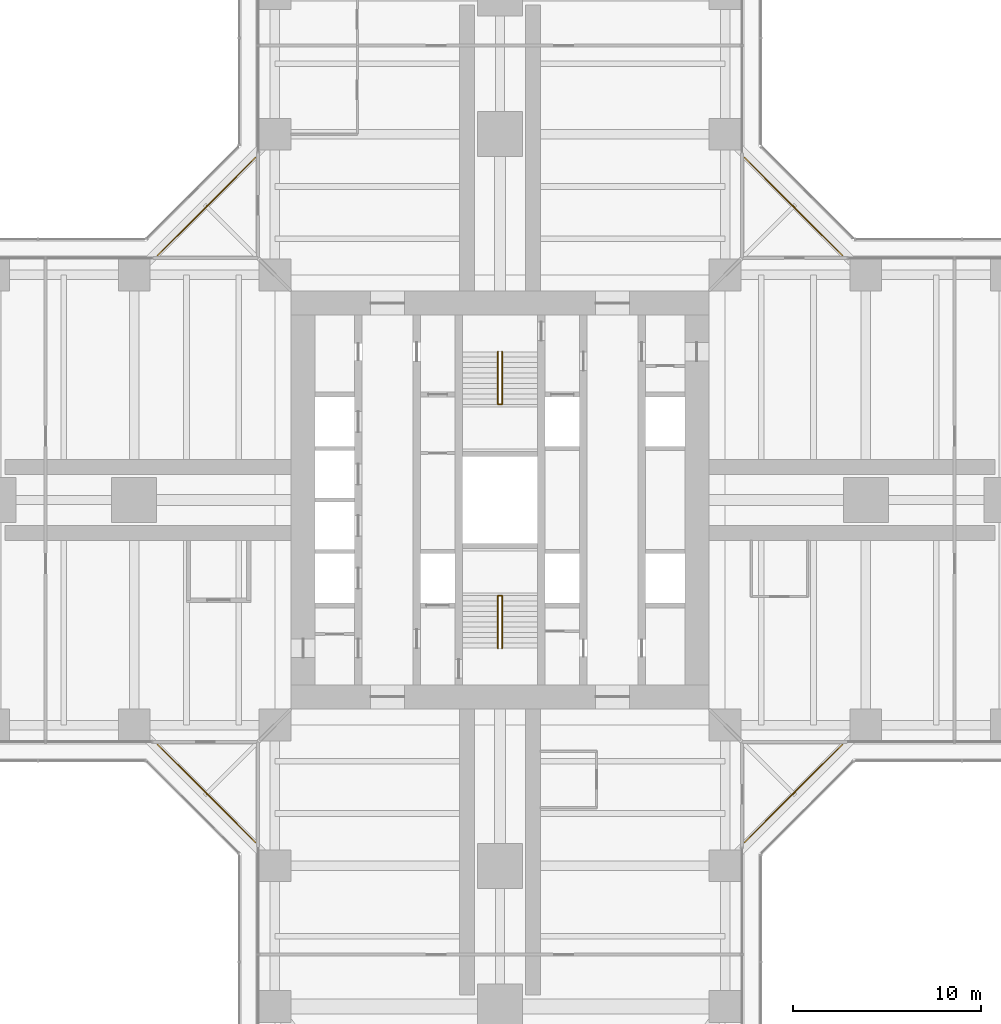
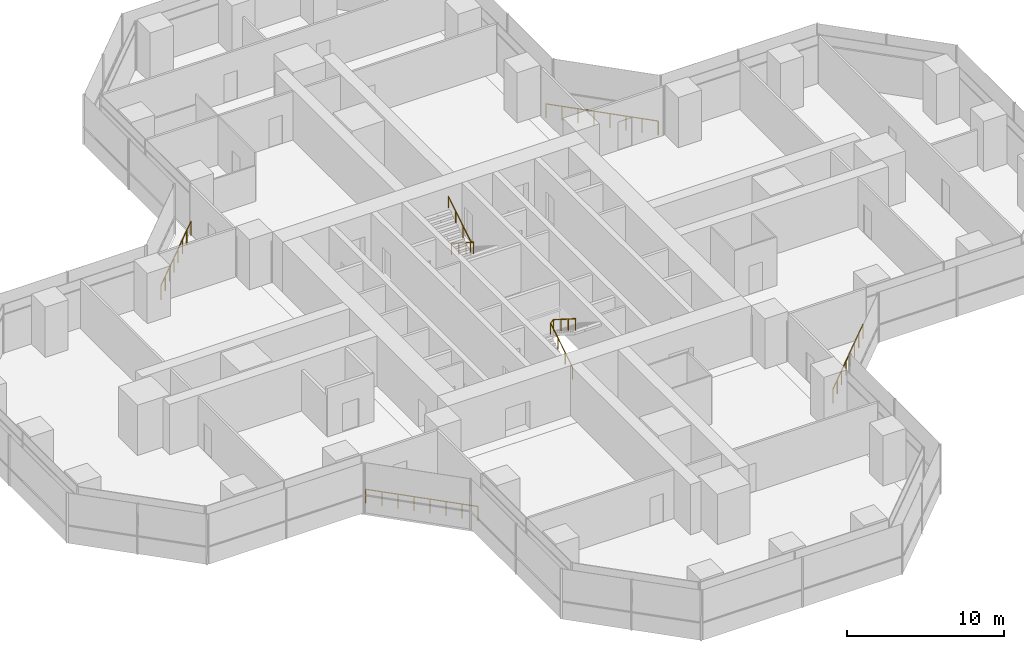
# One storey, part 22 of 22: 6 railings.
"""IFC4 building model written with IfcOpenShell, lengths in metres."""

from ifc_helpers import new_model, si_unit, direction, frame, origin, origin_2d, place, context, subcontext, project, spatial, circle, extrude, material, type_object, element, save


model = new_model("IFC4")

# Units and contexts
model_context = context("Model", 3, precision=1e-05, world=origin(), true_north=direction((0.0, 1.0)))
body_context = subcontext(model_context, "Body", "Model", "MODEL_VIEW")
ifc_project = project(units=[si_unit("LENGTHUNIT", "METRE"), si_unit("AREAUNIT", "SQUARE_METRE"), si_unit("VOLUMEUNIT", "CUBIC_METRE"), si_unit("PLANEANGLEUNIT", "RADIAN"), si_unit("MASSUNIT", "GRAM", prefix="KILO")], contexts=[model_context])

# Site, building, storey
site_placement = place(None, origin())
site = spatial("IfcSite", under=ifc_project, at=site_placement, CompositionType="ELEMENT")
building_placement = place(site_placement, origin())
building = spatial("IfcBuilding", under=site, at=building_placement, Name="Mizan Broadcast Tower", CompositionType="ELEMENT")
storey_placement = place(building_placement, frame((0.0, 0.0, 102.0)))
storey = spatial("IfcBuildingStorey", under=building, at=storey_placement, Name="L22", CompositionType="ELEMENT", Elevation=102.0)

# Railings
ifc_material_1 = material(Name="Stainless steel and glass guard", Category="steel")
railing_type_1 = type_object("IfcRailingType", Name="GUARD 1100", PredefinedType="GUARDRAIL", material=ifc_material_1)
railing_1_placement = place(storey_placement, frame((18.2578125, 13.030029296875, 0.0)))
element("IfcRailing", 1, at=railing_1_placement, inside=storey, type_object=railing_type_1, Name="Winter garden guard L22 E", PredefinedType="GUARDRAIL", context=body_context, shape_type="SweptSolid", body=[
    extrude(circle(Radius=0.02392578125, at=origin_2d()), frame((0.0, 0.0, 1.076171875), z_axis=(-0.707106781187, 0.707106781187, 0.0), x_axis=(-0.707106781187, -0.707106781187, 0.0)), (0.0, 0.0, 1.0), 7.393310546875),
    extrude(circle(Radius=0.02099609375, at=origin_2d()), origin(), (0.0, 0.0, 1.0), 1.052001953125),
    extrude(circle(Radius=0.02099609375, at=origin_2d()), frame((-0.746826171875, 0.746826171875, 0.0)), (0.0, 0.0, 1.0), 1.052001953125),
    extrude(circle(Radius=0.02099609375, at=origin_2d()), frame((-1.49365234375, 1.49365234375, 0.0)), (0.0, 0.0, 1.0), 1.052001953125),
    extrude(circle(Radius=0.02099609375, at=origin_2d()), frame((-2.240478515625, 2.240478515625, 0.0)), (0.0, 0.0, 1.0), 1.052001953125),
    extrude(circle(Radius=0.02099609375, at=origin_2d()), frame((-2.9873046875, 2.9873046875, 0.0)), (0.0, 0.0, 1.0), 1.052001953125),
    extrude(circle(Radius=0.02099609375, at=origin_2d()), frame((-3.734130859375, 3.734130859375, 0.0)), (0.0, 0.0, 1.0), 1.052001953125),
    extrude(circle(Radius=0.02099609375, at=origin_2d()), frame((-4.48095703125, 4.48095703125, 0.0)), (0.0, 0.0, 1.0), 1.052001953125),
    extrude(circle(Radius=0.02099609375, at=origin_2d()), frame((-5.227783203125, 5.227783203125, 0.0)), (0.0, 0.0, 1.0), 1.052001953125),
])
railing_2_placement = place(storey_placement, frame((-13.030029296875, 18.2578125, 0.0)))
element("IfcRailing", 2, at=railing_2_placement, inside=storey, type_object=railing_type_1, Name="Winter garden guard L22 N", PredefinedType="GUARDRAIL", context=body_context, shape_type="SweptSolid", body=[
    extrude(circle(Radius=0.02392578125, at=origin_2d()), frame((0.0, 0.0, 1.076171875), z_axis=(-0.707106781187, -0.707106781187, 0.0), x_axis=(0.707106781187, -0.707106781187, 0.0)), (0.0, 0.0, 1.0), 7.393310546875),
    extrude(circle(Radius=0.02099609375, at=origin_2d()), origin(), (0.0, 0.0, 1.0), 1.052001953125),
    extrude(circle(Radius=0.02099609375, at=origin_2d()), frame((-0.746826171875, -0.746826171875, 0.0)), (0.0, 0.0, 1.0), 1.052001953125),
    extrude(circle(Radius=0.02099609375, at=origin_2d()), frame((-1.49365234375, -1.49365234375, 0.0)), (0.0, 0.0, 1.0), 1.052001953125),
    extrude(circle(Radius=0.02099609375, at=origin_2d()), frame((-2.240478515625, -2.240478515625, 0.0)), (0.0, 0.0, 1.0), 1.052001953125),
    extrude(circle(Radius=0.02099609375, at=origin_2d()), frame((-2.9873046875, -2.9873046875, 0.0)), (0.0, 0.0, 1.0), 1.052001953125),
    extrude(circle(Radius=0.02099609375, at=origin_2d()), frame((-3.734130859375, -3.734130859375, 0.0)), (0.0, 0.0, 1.0), 1.052001953125),
    extrude(circle(Radius=0.02099609375, at=origin_2d()), frame((-4.48095703125, -4.48095703125, 0.0)), (0.0, 0.0, 1.0), 1.052001953125),
    extrude(circle(Radius=0.02099609375, at=origin_2d()), frame((-5.227783203125, -5.227783203125, 0.0)), (0.0, 0.0, 1.0), 1.052001953125),
])
railing_3_placement = place(storey_placement, frame((-18.2578125, -13.030029296875, 0.0)))
element("IfcRailing", 3, at=railing_3_placement, inside=storey, type_object=railing_type_1, Name="Winter garden guard L22 W", PredefinedType="GUARDRAIL", context=body_context, shape_type="SweptSolid", body=[
    extrude(circle(Radius=0.02392578125, at=origin_2d()), frame((0.0, 0.0, 1.076171875), z_axis=(0.707106781187, -0.707106781187, 0.0), x_axis=(0.707106781187, 0.707106781187, 0.0)), (0.0, 0.0, 1.0), 7.393310546875),
    extrude(circle(Radius=0.02099609375, at=origin_2d()), origin(), (0.0, 0.0, 1.0), 1.052001953125),
    extrude(circle(Radius=0.02099609375, at=origin_2d()), frame((0.746826171875, -0.746826171875, 0.0)), (0.0, 0.0, 1.0), 1.052001953125),
    extrude(circle(Radius=0.02099609375, at=origin_2d()), frame((1.49365234375, -1.49365234375, 0.0)), (0.0, 0.0, 1.0), 1.052001953125),
    extrude(circle(Radius=0.02099609375, at=origin_2d()), frame((2.240478515625, -2.240478515625, 0.0)), (0.0, 0.0, 1.0), 1.052001953125),
    extrude(circle(Radius=0.02099609375, at=origin_2d()), frame((2.9873046875, -2.9873046875, 0.0)), (0.0, 0.0, 1.0), 1.052001953125),
    extrude(circle(Radius=0.02099609375, at=origin_2d()), frame((3.734130859375, -3.734130859375, 0.0)), (0.0, 0.0, 1.0), 1.052001953125),
    extrude(circle(Radius=0.02099609375, at=origin_2d()), frame((4.48095703125, -4.48095703125, 0.0)), (0.0, 0.0, 1.0), 1.052001953125),
    extrude(circle(Radius=0.02099609375, at=origin_2d()), frame((5.227783203125, -5.227783203125, 0.0)), (0.0, 0.0, 1.0), 1.052001953125),
])
railing_4_placement = place(storey_placement, frame((13.030029296875, -18.2578125, 0.0)))
element("IfcRailing", 4, at=railing_4_placement, inside=storey, type_object=railing_type_1, Name="Winter garden guard L22 S", PredefinedType="GUARDRAIL", context=body_context, shape_type="SweptSolid", body=[
    extrude(circle(Radius=0.02392578125, at=origin_2d()), frame((0.0, 0.0, 1.076171875), z_axis=(0.707106781187, 0.707106781187, 0.0), x_axis=(-0.707106781187, 0.707106781187, 0.0)), (0.0, 0.0, 1.0), 7.393310546875),
    extrude(circle(Radius=0.02099609375, at=origin_2d()), origin(), (0.0, 0.0, 1.0), 1.052001953125),
    extrude(circle(Radius=0.02099609375, at=origin_2d()), frame((0.746826171875, 0.746826171875, 0.0)), (0.0, 0.0, 1.0), 1.052001953125),
    extrude(circle(Radius=0.02099609375, at=origin_2d()), frame((1.49365234375, 1.49365234375, 0.0)), (0.0, 0.0, 1.0), 1.052001953125),
    extrude(circle(Radius=0.02099609375, at=origin_2d()), frame((2.240478515625, 2.240478515625, 0.0)), (0.0, 0.0, 1.0), 1.052001953125),
    extrude(circle(Radius=0.02099609375, at=origin_2d()), frame((2.9873046875, 2.9873046875, 0.0)), (0.0, 0.0, 1.0), 1.052001953125),
    extrude(circle(Radius=0.02099609375, at=origin_2d()), frame((3.734130859375, 3.734130859375, 0.0)), (0.0, 0.0, 1.0), 1.052001953125),
    extrude(circle(Radius=0.02099609375, at=origin_2d()), frame((4.48095703125, 4.48095703125, 0.0)), (0.0, 0.0, 1.0), 1.052001953125),
    extrude(circle(Radius=0.02099609375, at=origin_2d()), frame((5.227783203125, 5.227783203125, 0.0)), (0.0, 0.0, 1.0), 1.052001953125),
])
ifc_material_2 = material(Name="Stainless steel", Category="steel")
railing_type_2 = type_object("IfcRailingType", Name="HANDRAIL 50", PredefinedType="HANDRAIL", material=ifc_material_2)
railing_5_placement = place(storey_placement, frame((-0.110107421875, -7.89990234375, 0.17724609375)))
element("IfcRailing", 5, at=railing_5_placement, inside=storey, type_object=railing_type_2, Name="Stair A handrail", PredefinedType="HANDRAIL", context=body_context, shape_type="SweptSolid", body=[
    extrude(circle(Radius=0.02392578125, at=origin_2d()), frame((0.0, 0.0, 0.8759765625), z_axis=(0.0, 0.844887892834, 0.53494340686), x_axis=(-1.0, 0.0, 0.0)), (0.0, 0.0, 1.0), 3.313720703125),
    extrude(circle(Radius=0.02392578125, at=origin_2d()), frame((0.0, 2.7998046875, 2.6484375), z_axis=(0.779011685263, 0.0, 0.627009405212), x_axis=(0.0, 1.0, 0.0)), (0.0, 0.0, 1.0), 0.28271484375),
    extrude(circle(Radius=0.02392578125, at=origin_2d()), frame((0.22021484375, 2.7998046875, 2.82568359375), z_axis=(0.0, -0.844887892834, 0.53494340686), x_axis=(1.0, 0.0, 0.0)), (0.0, 0.0, 1.0), 3.313720703125),
    extrude(circle(Radius=0.02099609375, at=origin_2d()), origin(), (0.0, 0.0, 1.0), 0.851806640625),
    extrude(circle(Radius=0.02099609375, at=origin_2d()), frame((0.0, 0.933349609375, 0.5908203125)), (0.0, 0.0, 1.0), 0.851806640625),
    extrude(circle(Radius=0.02099609375, at=origin_2d()), frame((0.0, 1.866455078125, 1.181884765625)), (0.0, 0.0, 1.0), 0.851806640625),
    extrude(circle(Radius=0.02099609375, at=origin_2d()), frame((0.0, 2.7998046875, 1.772705078125)), (0.0, 0.0, 1.0), 0.851806640625),
    extrude(circle(Radius=0.02099609375, at=origin_2d()), frame((0.22021484375, 2.7998046875, 1.949951171875)), (0.0, 0.0, 1.0), 0.851806640625),
    extrude(circle(Radius=0.02099609375, at=origin_2d()), frame((0.22021484375, 1.866455078125, 2.540771484375)), (0.0, 0.0, 1.0), 0.851806640625),
    extrude(circle(Radius=0.02099609375, at=origin_2d()), frame((0.22021484375, 0.933349609375, 3.1318359375)), (0.0, 0.0, 1.0), 0.851806640625),
    extrude(circle(Radius=0.02099609375, at=origin_2d()), frame((0.22021484375, 0.0, 3.72265625)), (0.0, 0.0, 1.0), 0.851806640625),
])
railing_6_placement = place(storey_placement, frame((0.110107421875, 7.89990234375, 0.17724609375)))
element("IfcRailing", 6, at=railing_6_placement, inside=storey, type_object=railing_type_2, Name="Stair B handrail", PredefinedType="HANDRAIL", context=body_context, shape_type="SweptSolid", body=[
    extrude(circle(Radius=0.02392578125, at=origin_2d()), frame((0.0, 0.0, 0.8759765625), z_axis=(0.0, -0.844887892834, 0.53494340686), x_axis=(1.0, 0.0, 0.0)), (0.0, 0.0, 1.0), 3.313720703125),
    extrude(circle(Radius=0.02392578125, at=origin_2d()), frame((0.0, -2.7998046875, 2.6484375), z_axis=(-0.779011685263, 0.0, 0.627009405212), x_axis=(0.0, -1.0, 0.0)), (0.0, 0.0, 1.0), 0.28271484375),
    extrude(circle(Radius=0.02392578125, at=origin_2d()), frame((-0.22021484375, -2.7998046875, 2.82568359375), z_axis=(0.0, 0.844887892834, 0.53494340686), x_axis=(-1.0, 0.0, 0.0)), (0.0, 0.0, 1.0), 3.313720703125),
    extrude(circle(Radius=0.02099609375, at=origin_2d()), origin(), (0.0, 0.0, 1.0), 0.851806640625),
    extrude(circle(Radius=0.02099609375, at=origin_2d()), frame((0.0, -0.933349609375, 0.5908203125)), (0.0, 0.0, 1.0), 0.851806640625),
    extrude(circle(Radius=0.02099609375, at=origin_2d()), frame((0.0, -1.866455078125, 1.181884765625)), (0.0, 0.0, 1.0), 0.851806640625),
    extrude(circle(Radius=0.02099609375, at=origin_2d()), frame((0.0, -2.7998046875, 1.772705078125)), (0.0, 0.0, 1.0), 0.851806640625),
    extrude(circle(Radius=0.02099609375, at=origin_2d()), frame((-0.22021484375, -2.7998046875, 1.949951171875)), (0.0, 0.0, 1.0), 0.851806640625),
    extrude(circle(Radius=0.02099609375, at=origin_2d()), frame((-0.22021484375, -1.866455078125, 2.540771484375)), (0.0, 0.0, 1.0), 0.851806640625),
    extrude(circle(Radius=0.02099609375, at=origin_2d()), frame((-0.22021484375, -0.933349609375, 3.1318359375)), (0.0, 0.0, 1.0), 0.851806640625),
    extrude(circle(Radius=0.02099609375, at=origin_2d()), frame((-0.22021484375, 0.0, 3.72265625)), (0.0, 0.0, 1.0), 0.851806640625),
])

save(model, "model.ifc")
